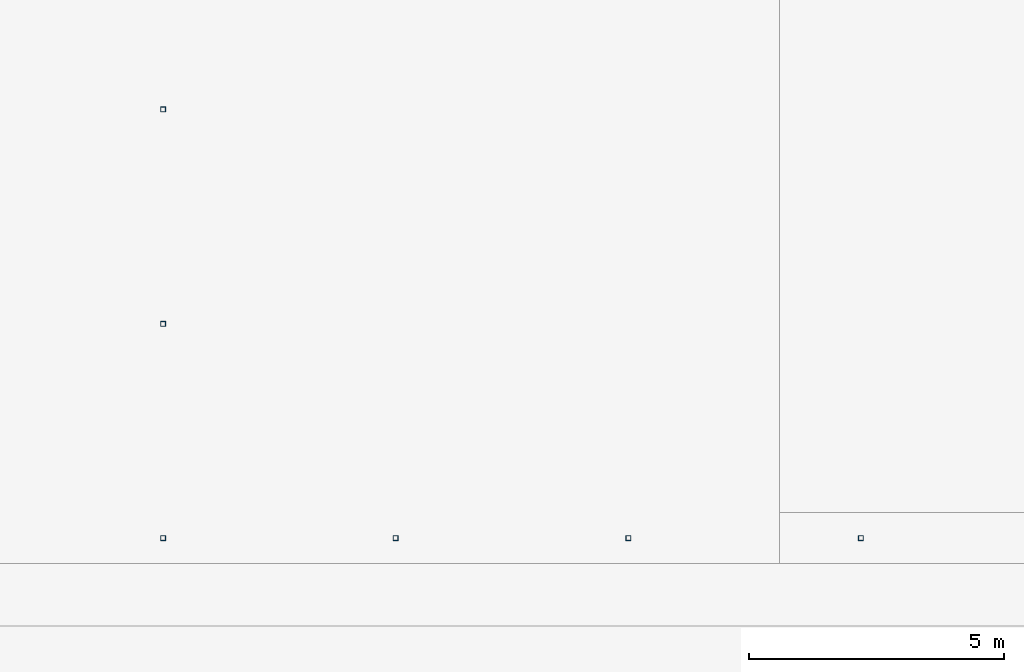
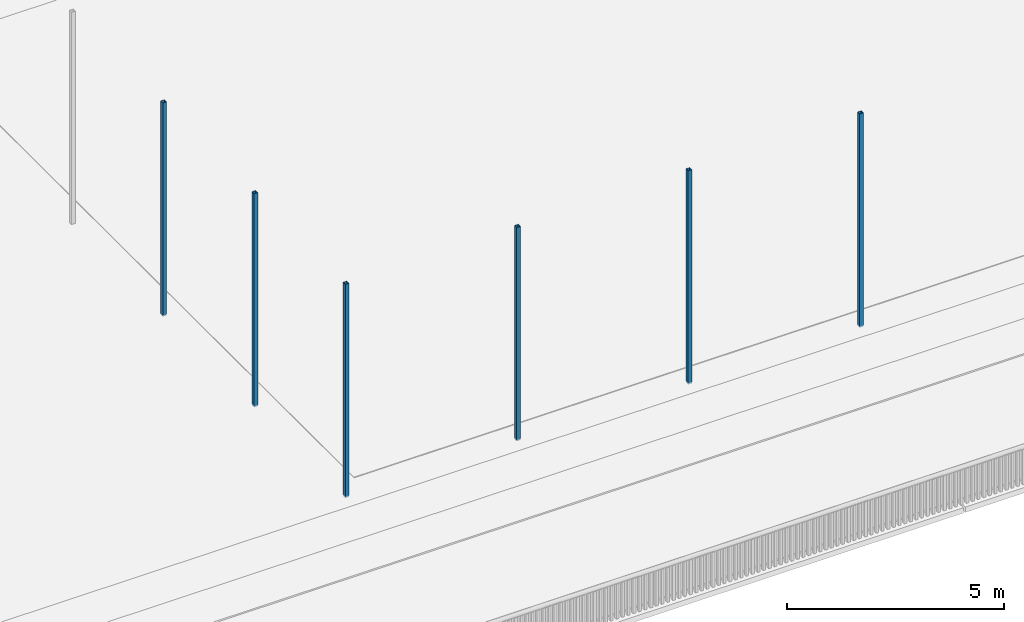
# One storey, part 76 of 127: 6 discrete accessories.
"""IFC4 building model written with IfcOpenShell, lengths in metres."""

from ifc_helpers import new_model, si_unit, direction, frame, origin, origin_2d, place, context, subcontext, project, spatial, hollow_rectangle, extrude, material, type_object, element, save


model = new_model("IFC4")

# Units and contexts
model_context = context("Model", 3, precision=1e-05, world=origin(), true_north=direction((0.0, 1.0)))
body_context = subcontext(model_context, "Body", "Model", "MODEL_VIEW")
ifc_project = project(units=[si_unit("LENGTHUNIT", "METRE"), si_unit("AREAUNIT", "SQUARE_METRE"), si_unit("VOLUMEUNIT", "CUBIC_METRE"), si_unit("PLANEANGLEUNIT", "RADIAN"), si_unit("MASSUNIT", "GRAM", prefix="KILO")], contexts=[model_context])

# Site, building, storey
site_placement = place(None, origin())
site = spatial("IfcSite", under=ifc_project, at=site_placement, CompositionType="ELEMENT")
building_placement = place(site_placement, origin())
building = spatial("IfcBuilding", under=site, at=building_placement, Name="Verrick Yard Athletic Hall", CompositionType="ELEMENT")
storey_placement = place(building_placement, frame((0.0, 0.0, 14.0)))
storey = spatial("IfcBuildingStorey", under=building, at=storey_placement, Name="L03", CompositionType="ELEMENT", Elevation=14.0)

# Discrete accessories
ifc_material = material(Name="Structural steel HSS Class C 350W (CSA G40.20/G40.21)", Category="steel")
discrete_accessory_type = type_object("IfcDiscreteAccessoryType", Name="Ball stop post", PredefinedType="USERDEFINED", material=ifc_material)
for number, where, z_axis, x_axis, name in (
    (1, (78.300048828125, 25.5, 0.0), (0.0, 0.0, 1.0), (1.0, 0.0, 0.0), "Ball stop post 1"),
    (2, (82.855712890625, 25.5, 0.0), (0.0, 0.0, 1.0), (1.0, 0.0, 0.0), "Ball stop post 2"),
    (3, (87.4111328125, 25.5, 0.0), (0.0, 0.0, 1.0), (1.0, 0.0, 0.0), "Ball stop post 3"),
    (4, (91.966796875, 25.5, 0.0), (0.0, 0.0, 1.0), (1.0, 0.0, 0.0), "Ball stop post 4"),
    (5, (78.300048828125, 33.89990234375, 0.0), (0.0, 0.0, 1.0), (1.0, 0.0, 0.0), "Ball stop post 27"),
    (6, (78.300048828125, 29.699951171875, 0.0), (0.0, 0.0, 1.0), (1.0, 0.0, 0.0), "Ball stop post 28"),
):
    element("IfcDiscreteAccessory", number, at=place(storey_placement, frame(where, z_axis=z_axis, x_axis=x_axis)), inside=storey, type_object=discrete_accessory_type, Name=name, ObjectType="BALL STOP POST", PredefinedType="USERDEFINED", context=body_context, shape_type="SweptSolid", body=[
        extrude(hollow_rectangle(XDim=0.1015625, YDim=0.1015625, WallThickness=0.00634765625, at=origin_2d()), origin(), (0.0, 0.0, 1.0), 6.0),
    ])

save(model, "model.ifc")
